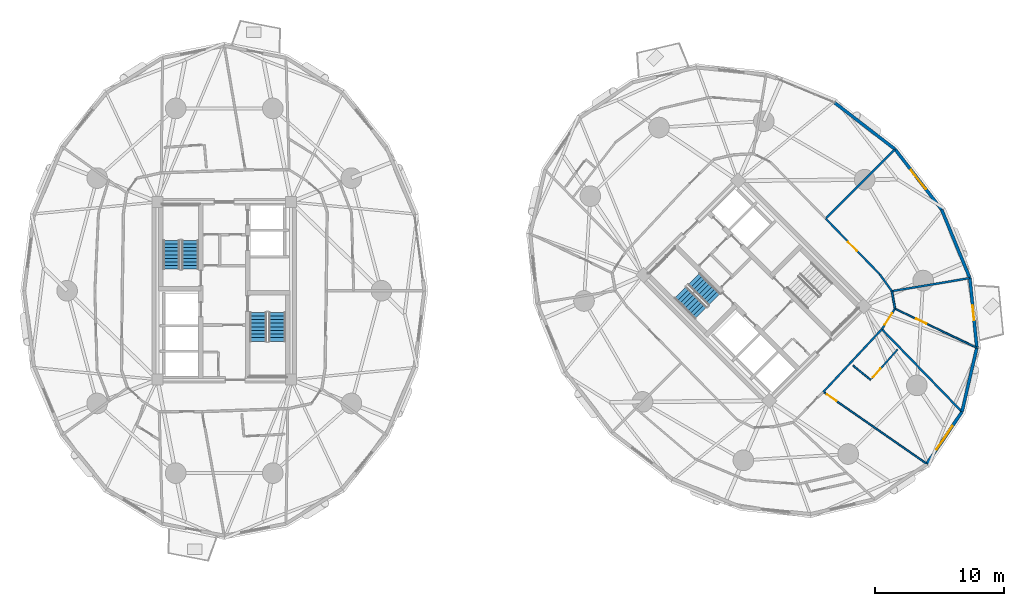
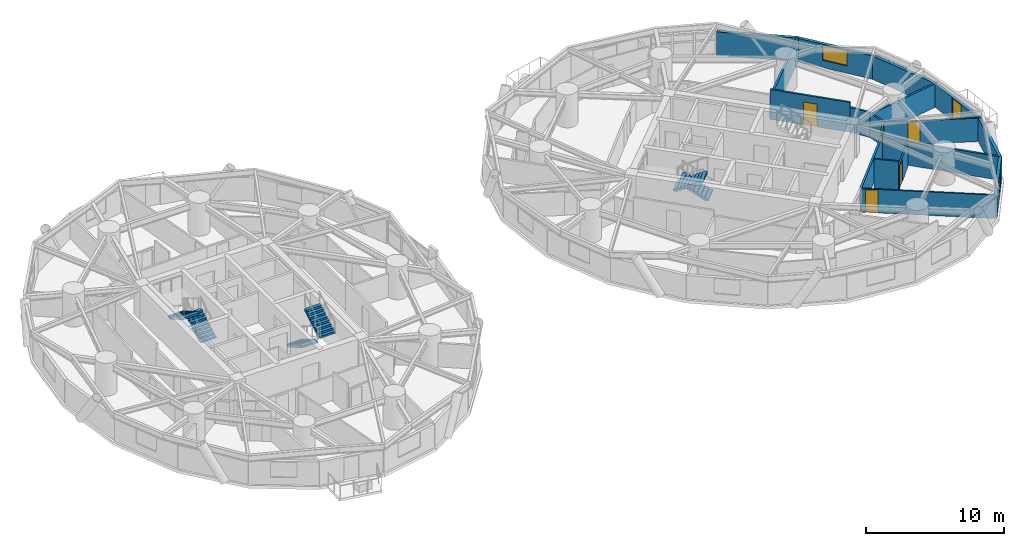
# One storey, part 15 of 19: 18 walls, 6 doors, 6 stair flights, 2 windows, 8 openings, 3 elements without a shape of their own.
"""IFC4 building model written with IfcOpenShell, lengths in metres."""

import ifcopenshell
import ifcopenshell.guid

model = None  # the IFC model being written
_history = None  # IfcOwnerHistory: only IFC2X3 demands one
_inside = {}  # id of a spatial element -> (the spatial element, [elements in it])
_under = {}  # id of a project, library or spatial element -> (it, [spatial elements below it])
_declared = {}  # id of a project -> (the project, [libraries it declares])
_typed = {}  # id of a type object -> (the type object, [elements of that type])
_made_of = {}  # id of a material, layer set ... -> (it, [elements and type objects made of it])


def new_model(schema):
    """Start an empty IFC model of exactly this schema.

    Asked for "IFC4X3", IfcOpenShell would pick the latest addendum, in which some entities
    have other attributes; the version numbers below select the first issue.
    IFC2X3 requires an IfcOwnerHistory on every rooted entity: one is made here for all.
    """
    global model, _history
    if schema == "IFC4X3":
        model = ifcopenshell.file(schema_version=(4, 3, 0, 0))
    else:
        model = ifcopenshell.file(schema=schema)
    _inside.clear()
    _under.clear()
    _declared.clear()
    _typed.clear()
    _made_of.clear()
    _history = None
    if model.schema == "IFC2X3":
        org = make("IfcOrganization", Name="unknown")
        user = make(
            "IfcPersonAndOrganization",
            ThePerson=make("IfcPerson", FamilyName="unknown"),
            TheOrganization=org,
        )
        app = make(
            "IfcApplication",
            ApplicationDeveloper=org,
            Version="unknown",
            ApplicationFullName="unknown",
            ApplicationIdentifier="unknown",
        )
        _history = make(
            "IfcOwnerHistory",
            OwningUser=user,
            OwningApplication=app,
            ChangeAction="ADDED",
            CreationDate=0,
        )
    return model


def make(cls, **values):
    """One entity of the class cls with the attributes given. An attribute that is None is left unset."""
    return model.create_entity(
        cls, **{name: value for name, value in values.items() if value is not None}
    )


def rooted(cls, **values):
    """An entity with a GlobalId (a new one), such as an element, a storey or a relation."""
    return make(cls, GlobalId=ifcopenshell.guid.new(), OwnerHistory=_history, **values)


def si_unit(unit_type, name, prefix=None):
    """IfcSIUnit, for example si_unit("LENGTHUNIT", "METRE", prefix="MILLI")."""
    return make("IfcSIUnit", UnitType=unit_type, Prefix=prefix, Name=name)


def assignment(units):
    """IfcUnitAssignment: the units of a project."""
    return None if units is None else make("IfcUnitAssignment", Units=units)


def point(xyz):
    """IfcCartesianPoint."""
    return None if xyz is None else make("IfcCartesianPoint", Coordinates=xyz)


def direction(xyz):
    """IfcDirection."""
    return None if xyz is None else make("IfcDirection", DirectionRatios=xyz)


def frame(location, z_axis=None, x_axis=None):
    """IfcAxis2Placement3D, a coordinate frame: its origin and axes. An axis left out is left unset."""
    return make(
        "IfcAxis2Placement3D",
        Location=point(location),
        Axis=direction(z_axis),
        RefDirection=direction(x_axis),
    )


def frame_2d(location, x_axis=None):
    """IfcAxis2Placement2D, a coordinate frame in the plane: its origin and x axis."""
    return make(
        "IfcAxis2Placement2D", Location=point(location), RefDirection=direction(x_axis)
    )


def origin():
    """The frame at (0, 0, 0) with its axes left unset."""
    return frame((0.0, 0.0, 0.0))


def place(relative_to, where):
    """IfcLocalPlacement: puts the frame where relative to a parent placement (None: the world)."""
    return make(
        "IfcLocalPlacement", PlacementRelTo=relative_to, RelativePlacement=where
    )


def context(
    kind, dimensions, precision=None, world=None, true_north=None, identifier=None
):
    """IfcGeometricRepresentationContext, for example the 3D "Model" context."""
    return make(
        "IfcGeometricRepresentationContext",
        ContextIdentifier=identifier,
        ContextType=kind,
        CoordinateSpaceDimension=dimensions,
        Precision=precision,
        WorldCoordinateSystem=world,
        TrueNorth=true_north,
    )


def subcontext(parent, identifier, kind, view, scale=None):
    """IfcGeometricRepresentationSubContext, for example "Body" below "Model"."""
    return make(
        "IfcGeometricRepresentationSubContext",
        ContextIdentifier=identifier,
        ContextType=kind,
        ParentContext=parent,
        TargetScale=scale,
        TargetView=view,
    )


def project(units=None, contexts=None):
    """IfcProject with its units and contexts."""
    return rooted(
        "IfcProject",
        Name="project",
        RepresentationContexts=contexts,
        UnitsInContext=assignment(units),
    )


def spatial(cls, under=None, at=None, **own):
    """A site, building, storey or space (cls), placed at a placement, below another one or the project."""
    s = rooted(cls, ObjectPlacement=at, **own)
    if under is not None:
        _under.setdefault(under.id(), (under, []))[1].append(s)
    return s


def polyline(points):
    """IfcPolyline through the points."""
    return make("IfcPolyline", Points=[point(p) for p in points])


def profile(cls, at=None, kind="AREA", **sizes):
    """A parametric profile (cls). Its sizes go by their IFC names, for example OverallWidth=200.0."""
    return make(cls, ProfileType=kind, Position=at, **sizes)


def rectangle(**sizes):
    """IfcRectangleProfileDef."""
    return profile("IfcRectangleProfileDef", **sizes)


def outline(outer, holes=None, kind="AREA"):
    """IfcArbitraryClosedProfileDef: a profile drawn as a closed curve; with holes, ...WithVoids."""
    if holes is None:
        return make("IfcArbitraryClosedProfileDef", ProfileType=kind, OuterCurve=outer)
    return make(
        "IfcArbitraryProfileDefWithVoids",
        ProfileType=kind,
        OuterCurve=outer,
        InnerCurves=holes,
    )


def extrude(swept, where, along, depth):
    """IfcExtrudedAreaSolid: the profile swept, set in the frame where, extruded along a direction by depth."""
    return make(
        "IfcExtrudedAreaSolid",
        SweptArea=swept,
        Position=where,
        ExtrudedDirection=direction(along),
        Depth=depth,
    )


def shape(context_of_items, identifier, shape_type, items):
    """IfcShapeRepresentation: the items that make up one representation, for example the "Body"."""
    return make(
        "IfcShapeRepresentation",
        ContextOfItems=context_of_items,
        RepresentationIdentifier=identifier,
        RepresentationType=shape_type,
        Items=items,
    )


def source(mapping_origin, context_of_items, identifier, shape_type, items):
    """IfcRepresentationMap: a shape defined once, which mapped items show again and again."""
    return make(
        "IfcRepresentationMap",
        MappingOrigin=mapping_origin,
        MappedRepresentation=shape(context_of_items, identifier, shape_type, items),
    )


def transform(
    local_origin,
    x_axis=None,
    y_axis=None,
    z_axis=None,
    scale=None,
    scale2=None,
    scale3=None,
    uniform=True,
):
    """IfcCartesianTransformationOperator3D, or its non-uniform kind. x_axis, y_axis, z_axis: its Axis1, 2, 3."""
    if uniform:
        return make(
            "IfcCartesianTransformationOperator3D",
            Axis1=direction(x_axis),
            Axis2=direction(y_axis),
            LocalOrigin=point(local_origin),
            Scale=scale,
            Axis3=direction(z_axis),
        )
    return make(
        "IfcCartesianTransformationOperator3DnonUniform",
        Axis1=direction(x_axis),
        Axis2=direction(y_axis),
        LocalOrigin=point(local_origin),
        Scale=scale,
        Axis3=direction(z_axis),
        Scale2=scale2,
        Scale3=scale3,
    )


def mapped(mapping_source, mapping_target):
    """IfcMappedItem: shows the shape of a source again, moved by a transform."""
    return make(
        "IfcMappedItem", MappingSource=mapping_source, MappingTarget=mapping_target
    )


def material(Name=None, Category=None):
    """IfcMaterial."""
    return make("IfcMaterial", Name=Name, Category=Category)


def layer(
    of_material, thickness, ventilated=None, Name=None, Category=None, Priority=None
):
    """IfcMaterialLayer: one layer of a wall or slab, of a material (None: an air gap)."""
    return make(
        "IfcMaterialLayer",
        Material=of_material,
        LayerThickness=thickness,
        IsVentilated=ventilated,
        Name=Name,
        Category=Category,
        Priority=Priority,
    )


def layer_set(layers, Name=None):
    """IfcMaterialLayerSet."""
    return make("IfcMaterialLayerSet", MaterialLayers=layers, LayerSetName=Name)


def made_of(thing, what):
    """Note that an element or type object is made of a material, layer set ...; save() writes the relation."""
    if what is not None:
        _made_of.setdefault(what.id(), (what, []))[1].append(thing)
    return thing


def type_object(cls, material=None, **own):
    """A type object (cls), such as IfcWallType, which elements share."""
    return made_of(rooted(cls, **own), material)


def element(
    cls,
    number,
    at=None,
    inside=None,
    cuts=None,
    type_object=None,
    material=None,
    context=None,
    identifier="Body",
    shape_type=None,
    held_by="IfcProductDefinitionShape",
    body=None,
    shapes=None,
    **own,
):
    """One element of the class cls, such as IfcWall. Its Tag is "e" and its number.

    at: its placement. inside: the storey or other place that contains it. cuts: it is an
    opening in that element (IfcRelVoidsElement). A single representation is given by context,
    identifier, shape_type and body (its items); several are given by shapes. held_by: the class
    of the entity that holds the representations. save() writes the other relations.
    """
    e = rooted(cls, Tag="e%d" % number, ObjectPlacement=at, **own)
    if body is not None:
        shapes = [shape(context, identifier, shape_type, body)]
    if shapes is not None:
        e.Representation = make(held_by, Representations=shapes)
    if inside is not None:
        _inside.setdefault(inside.id(), (inside, []))[1].append(e)
    if cuts is not None:
        rooted(
            "IfcRelVoidsElement", RelatingBuildingElement=cuts, RelatedOpeningElement=e
        )
    if type_object is not None:
        _typed.setdefault(type_object.id(), (type_object, []))[1].append(e)
    return made_of(e, material)


def fill(opening, filler):
    """IfcRelFillsElement: the door or window that sits in an opening."""
    return rooted(
        "IfcRelFillsElement",
        RelatingOpeningElement=opening,
        RelatedBuildingElement=filler,
    )


def aggregate(whole, parts):
    """IfcRelAggregates: a whole, such as a stair, and the parts it consists of."""
    return rooted("IfcRelAggregates", RelatingObject=whole, RelatedObjects=parts)


def save(model, path):
    """Write the relations noted so far, then the file.

    IfcRelAggregates (storeys below a building ...), IfcRelContainedInSpatialStructure (elements
    in a storey), IfcRelDefinesByType, IfcRelAssociatesMaterial and IfcRelDeclares: one each for
    every whole, place, type object, material and project.
    """
    for whole, parts in _under.values():
        aggregate(whole, parts)
    for where, things in _inside.values():
        rooted(
            "IfcRelContainedInSpatialStructure",
            RelatedElements=things,
            RelatingStructure=where,
        )
    for kind, things in _typed.values():
        rooted("IfcRelDefinesByType", RelatedObjects=things, RelatingType=kind)
    for what, things in _made_of.values():
        rooted("IfcRelAssociatesMaterial", RelatedObjects=things, RelatingMaterial=what)
    for by, libraries in _declared.values():
        rooted("IfcRelDeclares", RelatingContext=by, RelatedDefinitions=libraries)
    model.write(path)


model = new_model("IFC4")

# Units and contexts
model_context = context("Model", 3, precision=1e-05, world=origin(), true_north=direction((0.0, 1.0)))
body_context = subcontext(model_context, "Body", "Model", "MODEL_VIEW")
ifc_project = project(units=[si_unit("LENGTHUNIT", "METRE"), si_unit("AREAUNIT", "SQUARE_METRE"), si_unit("VOLUMEUNIT", "CUBIC_METRE"), si_unit("PLANEANGLEUNIT", "RADIAN"), si_unit("MASSUNIT", "GRAM", prefix="KILO")], contexts=[model_context])

# Site, building, storey
site_placement = place(None, origin())
site = spatial("IfcSite", under=ifc_project, at=site_placement, CompositionType="ELEMENT")
building_placement = place(site_placement, origin())
building = spatial("IfcBuilding", under=site, at=building_placement, Name="Cununo Teusaquillo Station Towers", CompositionType="ELEMENT")
storey_placement = place(building_placement, frame((0.0, 0.0, 42.3701171875)))
storey = spatial("IfcBuildingStorey", under=building, at=storey_placement, Name="L12", CompositionType="ELEMENT", Elevation=42.3701171875)

# Wall
ifc_material_1 = material(Name="Precast concrete C40/50", Category="concrete")
ifc_layer_1 = layer(ifc_material_1, 0.239990234375)
ifc_layer_set_1 = layer_set([ifc_layer_1], Name="Precast concrete C40/50")
wall_type_1 = type_object("IfcWallType", Name="WL-EXT-240", PredefinedType="SOLIDWALL", material=ifc_layer_set_1)
wall_1_placement = place(storey_placement, frame((63.77783203125, 39.068115234375, 0.0), z_axis=(0.0, 0.0, 1.0), x_axis=(0.792020182601, -0.610494906082, 0.0)))
element("IfcWall", 1, at=wall_1_placement, inside=storey, type_object=wall_type_1, Name="L12 Tower B Exterior Facade Wall C00", PredefinedType="SOLIDWALL", context=body_context, shape_type="SweptSolid", body=[
    extrude(rectangle(XDim=5.9111328125, YDim=0.239990234375, at=frame_2d((2.95556640625, 0.0))), origin(), (0.0, 0.0, 1.0), 2.072998046875),
])

# Wall, opening, window
wall_2_placement = place(storey_placement, frame((73.64404296875, 15.12939453125, 0.0), z_axis=(0.0, 0.0, 1.0), x_axis=(-0.559621532896, -0.828748297084, 0.0)))
wall_2 = element("IfcWall", 2, at=wall_2_placement, inside=storey, type_object=wall_type_1, Name="L12 Tower B Exterior Facade Wall C15", PredefinedType="SOLIDWALL", context=body_context, shape_type="SweptSolid", body=[
    extrude(rectangle(XDim=4.878662109375, YDim=0.239990234375, at=frame_2d((2.439453125, 0.0))), origin(), (0.0, 0.0, 1.0), 2.072998046875),
])
shared_shape_1 = source(origin(), body_context, "Body", "SweptSolid", [
    extrude(rectangle(XDim=2.199951171875, YDim=1.35009765625, at=frame_2d((1.10009765625, 0.675048828125))), frame((0.0, 0.1298828125, 0.0), z_axis=(0.0, -1.0, 0.0), x_axis=(1.0, 0.0, 0.0)), (0.0, 0.0, 1.0), 0.260009765625),
])
opening_1_placement = place(wall_2_placement, frame((1.339111328125, 0.0, 0.64990234375)))
opening_1 = element("IfcOpeningElement", 3, at=opening_1_placement, cuts=wall_2, Name="Opening WN-01", PredefinedType="OPENING", context=body_context, shape_type="MappedRepresentation", body=[
    mapped(shared_shape_1, transform((0.0, 0.0, 0.0), x_axis=(1.0, 0.0, 0.0), y_axis=(0.0, 1.0, 0.0), z_axis=(0.0, 0.0, 1.0), scale=1.0)),
])
ifc_material_2 = material(Name="Ceramic-fritted dark low-E double glazing", Category="glass")
window_type_1 = type_object("IfcWindowType", Name="WIN-FRIT-2200", PartitioningType="DOUBLE_PANEL_VERTICAL", PredefinedType="WINDOW", material=ifc_material_2)
shared_shape_2 = source(origin(), body_context, "Body", "SweptSolid", [
    extrude(rectangle(XDim=2.199951171875, YDim=1.35009765625, at=frame_2d((1.10009765625, 0.675048828125))), frame((0.0, 0.030029296875, 0.0), z_axis=(0.0, -1.0, 0.0), x_axis=(1.0, 0.0, 0.0)), (0.0, 0.0, 1.0), 0.06005859375),
])
window_1_placement = place(opening_1_placement, origin())
window_1 = element("IfcWindow", 4, at=window_1_placement, inside=storey, type_object=window_type_1, Name="L12 Tower B Facade Window C15", OverallHeight=1.35009765625, OverallWidth=2.199951171875, PartitioningType="DOUBLE_PANEL_VERTICAL", PredefinedType="WINDOW", context=body_context, shape_type="MappedRepresentation", body=[
    mapped(shared_shape_2, transform((0.0, 0.0, 0.0), x_axis=(1.0, 0.0, 0.0), y_axis=(0.0, 1.0, 0.0), z_axis=(0.0, 0.0, 1.0), scale=1.0)),
])
fill(opening_1, window_1)

# Wall
wall_3_placement = place(storey_placement, frame((74.7939453125, 20.08984375, 0.0), z_axis=(0.0, 0.0, 1.0), x_axis=(-0.22582585901, -0.974167686491, 0.0)))
element("IfcWall", 5, at=wall_3_placement, inside=storey, type_object=wall_type_1, Name="L12 Tower B Exterior Facade Wall C16", PredefinedType="SOLIDWALL", context=body_context, shape_type="SweptSolid", body=[
    extrude(rectangle(XDim=5.092041015625, YDim=0.239990234375, at=frame_2d((2.5458984375, 0.0))), origin(), (0.0, 0.0, 1.0), 2.072998046875),
])

# Wall, opening, door
wall_4_placement = place(storey_placement, frame((74.2509765625, 25.48193359375, 0.0), z_axis=(0.0, 0.0, 1.0), x_axis=(0.100190592135, -0.994968263437, 0.0)))
wall_4 = element("IfcWall", 6, at=wall_4_placement, inside=storey, type_object=wall_type_1, Name="L12 Tower B Exterior Facade Wall C17", PredefinedType="SOLIDWALL", context=body_context, shape_type="SweptSolid", body=[
    extrude(rectangle(XDim=5.41943359375, YDim=0.239990234375, at=frame_2d((2.709716796875, 0.0))), origin(), (0.0, 0.0, 1.0), 2.072998046875),
])
shared_shape_3 = source(origin(), body_context, "Body", "SweptSolid", [
    extrude(rectangle(XDim=1.14990234375, YDim=2.0048828125, at=frame_2d((0.574951171875, 1.00244140625))), frame((0.0, 0.1298828125, 0.0), z_axis=(0.0, -1.0, 0.0), x_axis=(1.0, 0.0, 0.0)), (0.0, 0.0, 1.0), 0.260009765625),
])
opening_2_placement = place(wall_4_placement, frame((2.135009765625, 0.0, 0.0)))
opening_2 = element("IfcOpeningElement", 7, at=opening_2_placement, cuts=wall_4, Name="Opening ED-03", PredefinedType="OPENING", context=body_context, shape_type="MappedRepresentation", body=[
    mapped(shared_shape_3, transform((0.0, 0.0, 0.0), x_axis=(1.0, 0.0, 0.0), y_axis=(0.0, 1.0, 0.0), z_axis=(0.0, 0.0, 1.0), scale=1.0)),
])
ifc_material_3 = material(Name="Anodised dark bronze aluminium EN AW-6063-T6", Category="aluminium")
door_type_1 = type_object("IfcDoorType", Name="DR-EXT-BAL", OperationType="NOTDEFINED", PredefinedType="DOOR", material=ifc_material_3)
shared_shape_4 = source(origin(), body_context, "Body", "SweptSolid", [
    extrude(rectangle(XDim=1.14990234375, YDim=2.0048828125, at=frame_2d((0.574951171875, 1.00244140625))), frame((0.0, 0.02490234375, 0.0), z_axis=(0.0, -1.0, 0.0), x_axis=(1.0, 0.0, 0.0)), (0.0, 0.0, 1.0), 0.050048828125),
])
door_1_placement = place(opening_2_placement, origin())
door_1 = element("IfcDoor", 8, at=door_1_placement, inside=storey, type_object=door_type_1, Name="L12 Tower B Tree Balcony Door C17", OperationType="SINGLE_SWING_LEFT", OverallHeight=2.0048828125, OverallWidth=1.14990234375, PredefinedType="DOOR", context=body_context, shape_type="MappedRepresentation", body=[
    mapped(shared_shape_4, transform((0.0, 0.0, 0.0), x_axis=(1.0, 0.0, 0.0), y_axis=(0.0, 1.0, 0.0), z_axis=(0.0, 0.0, 1.0), scale=1.0)),
])
fill(opening_2, door_1)

# Wall
wall_5_placement = place(storey_placement, frame((72.068115234375, 30.77783203125, 0.0), z_axis=(0.0, 0.0, 1.0), x_axis=(0.381077764176, -0.924542988536, 0.0)))
element("IfcWall", 9, at=wall_5_placement, inside=storey, type_object=wall_type_1, Name="L12 Tower B Exterior Facade Wall C18", PredefinedType="SOLIDWALL", context=body_context, shape_type="SweptSolid", body=[
    extrude(rectangle(XDim=5.72802734375, YDim=0.239990234375, at=frame_2d((2.864013671875, 0.0))), origin(), (0.0, 0.0, 1.0), 2.072998046875),
])

# Wall, opening, window
wall_6_placement = place(storey_placement, frame((68.45947265625, 35.45947265625, 0.0), z_axis=(0.0, 0.0, 1.0), x_axis=(0.610494906082, -0.792020182601, 0.0)))
wall_6 = element("IfcWall", 10, at=wall_6_placement, inside=storey, type_object=wall_type_1, Name="L12 Tower B Exterior Facade Wall C19", PredefinedType="SOLIDWALL", context=body_context, shape_type="SweptSolid", body=[
    extrude(rectangle(XDim=5.9111328125, YDim=0.239990234375, at=frame_2d((2.95556640625, 0.0))), origin(), (0.0, 0.0, 1.0), 2.072998046875),
])
shared_shape_5 = source(origin(), body_context, "Body", "SweptSolid", [
    extrude(rectangle(XDim=1.89990234375, YDim=1.35009765625, at=frame_2d((0.949951171875, 0.675048828125))), frame((0.0, 0.1298828125, 0.0), z_axis=(0.0, -1.0, 0.0), x_axis=(1.0, 0.0, 0.0)), (0.0, 0.0, 1.0), 0.260009765625),
])
opening_3_placement = place(wall_6_placement, frame((2.0048828125, 0.0, 0.64990234375)))
opening_3 = element("IfcOpeningElement", 11, at=opening_3_placement, cuts=wall_6, Name="Opening WN-02", PredefinedType="OPENING", context=body_context, shape_type="MappedRepresentation", body=[
    mapped(shared_shape_5, transform((0.0, 0.0, 0.0), x_axis=(1.0, 0.0, 0.0), y_axis=(0.0, 1.0, 0.0), z_axis=(0.0, 0.0, 1.0), scale=1.0)),
])
ifc_material_4 = material(Name="Operable acoustic tinted low-E double glazing", Category="glass")
window_type_2 = type_object("IfcWindowType", Name="WIN-OPER-1900", PartitioningType="DOUBLE_PANEL_VERTICAL", PredefinedType="WINDOW", material=ifc_material_4)
shared_shape_6 = source(origin(), body_context, "Body", "SweptSolid", [
    extrude(rectangle(XDim=1.89990234375, YDim=1.35009765625, at=frame_2d((0.949951171875, 0.675048828125))), frame((0.0, 0.030029296875, 0.0), z_axis=(0.0, -1.0, 0.0), x_axis=(1.0, 0.0, 0.0)), (0.0, 0.0, 1.0), 0.06005859375),
])
window_2_placement = place(opening_3_placement, origin())
window_2 = element("IfcWindow", 12, at=window_2_placement, inside=storey, type_object=window_type_2, Name="L12 Tower B Facade Window C19", OverallHeight=1.35009765625, OverallWidth=1.89990234375, PartitioningType="DOUBLE_PANEL_VERTICAL", PredefinedType="WINDOW", context=body_context, shape_type="MappedRepresentation", body=[
    mapped(shared_shape_6, transform((0.0, 0.0, 0.0), x_axis=(1.0, 0.0, 0.0), y_axis=(0.0, 1.0, 0.0), z_axis=(0.0, 0.0, 1.0), scale=1.0)),
])
fill(opening_3, window_2)

# Wall, opening, door
ifc_material_5 = material(Name="Fire-rated gypsum plasterboard partition assembly", Category="gypsum")
ifc_layer_2 = layer(ifc_material_5, 0.125)
ifc_layer_set_2 = layer_set([ifc_layer_2], Name="Fire-rated gypsum plasterboard partition assembly")
wall_type_2 = type_object("IfcWallType", Name="WL-PART-125", PredefinedType="PARTITIONING", material=ifc_layer_set_2)
wall_7_placement = place(storey_placement, frame((62.902587890625, 16.66650390625, 0.0), z_axis=(0.0, 0.0, 1.0), x_axis=(0.820761665638, -0.571270766116, 0.0)))
wall_7 = element("IfcWall", 13, at=wall_7_placement, inside=storey, type_object=wall_type_2, Name="L12 Tower B Governor Hospitality Suite Suite Subdividing Wall", PredefinedType="PARTITIONING", context=body_context, shape_type="SweptSolid", body=[
    extrude(rectangle(XDim=9.743408203125, YDim=0.125, at=frame_2d((4.87158203125, 0.0))), origin(), (0.0, 0.0, 1.0), 2.072998046875),
])
shared_shape_7 = source(origin(), body_context, "Body", "SweptSolid", [
    extrude(rectangle(XDim=0.89990234375, YDim=2.0048828125, at=frame_2d((0.449951171875, 1.00244140625))), frame((0.0, 0.072509765625, 0.0), z_axis=(0.0, -1.0, 0.0), x_axis=(1.0, 0.0, 0.0)), (0.0, 0.0, 1.0), 0.14501953125),
])
opening_4_placement = place(wall_7_placement, frame((0.330078125, 0.0, 0.0)))
opening_4 = element("IfcOpeningElement", 14, at=opening_4_placement, cuts=wall_7, Name="Opening D-IN1", PredefinedType="OPENING", context=body_context, shape_type="MappedRepresentation", body=[
    mapped(shared_shape_7, transform((0.0, 0.0, 0.0), x_axis=(1.0, 0.0, 0.0), y_axis=(0.0, 1.0, 0.0), z_axis=(0.0, 0.0, 1.0), scale=1.0)),
])
ifc_material_6 = material(Name="Acoustic solid-core hardwood leaf assembly", Category="wood")
door_type_2 = type_object("IfcDoorType", Name="DR-INT-900", OperationType="NOTDEFINED", PredefinedType="DOOR", material=ifc_material_6)
shared_shape_8 = source(origin(), body_context, "Body", "SweptSolid", [
    extrude(rectangle(XDim=0.89990234375, YDim=2.0048828125, at=frame_2d((0.449951171875, 1.00244140625))), frame((0.0, 0.02490234375, 0.0), z_axis=(0.0, -1.0, 0.0), x_axis=(1.0, 0.0, 0.0)), (0.0, 0.0, 1.0), 0.050048828125),
])
door_2_placement = place(opening_4_placement, origin())
door_2 = element("IfcDoor", 15, at=door_2_placement, inside=storey, type_object=door_type_2, Name="L12 Tower B Governor Hospitality Suite Suite Connecting Door", OperationType="SINGLE_SWING_RIGHT", OverallHeight=2.0048828125, OverallWidth=0.89990234375, PredefinedType="DOOR", context=body_context, shape_type="MappedRepresentation", body=[
    mapped(shared_shape_8, transform((0.0, 0.0, 0.0), x_axis=(1.0, 0.0, 0.0), y_axis=(0.0, 1.0, 0.0), z_axis=(0.0, 0.0, 1.0), scale=1.0)),
])
fill(opening_4, door_2)

# Wall
wall_8_placement = place(storey_placement, frame((65.202392578125, 18.721435546875, 0.0), z_axis=(0.0, 0.0, 1.0), x_axis=(0.769814202386, -0.638268042287, 0.0)))
element("IfcWall", 16, at=wall_8_placement, inside=storey, type_object=wall_type_2, Name="L12 Tower B S05 En-suite Side Wall", PredefinedType="PARTITIONING", context=body_context, shape_type="SweptSolid", body=[
    extrude(rectangle(XDim=1.768798828125, YDim=0.125, at=frame_2d((0.88427734375, 0.0))), origin(), (0.0, 0.0, 1.0), 2.634765625),
])

# Wall, opening, door
wall_9_placement = place(storey_placement, frame((66.667236328125, 17.70947265625, 0.0), z_axis=(0.0, 0.0, 1.0), x_axis=(0.662510581678, 0.749052554341, 0.0)))
wall_9 = element("IfcWall", 17, at=wall_9_placement, inside=storey, type_object=wall_type_2, Name="L12 Tower B S05 En-suite Back Wall", PredefinedType="PARTITIONING", context=body_context, shape_type="SweptSolid", body=[
    extrude(rectangle(XDim=2.99609375, YDim=0.125, at=frame_2d((1.498046875, 0.0))), origin(), (0.0, 0.0, 1.0), 2.158935546875),
])
opening_5_placement = place(wall_9_placement, frame((0.1201171875, 0.0, 0.0)))
opening_5 = element("IfcOpeningElement", 18, at=opening_5_placement, cuts=wall_9, Name="Opening D-IN1", PredefinedType="OPENING", context=body_context, shape_type="MappedRepresentation", body=[
    mapped(shared_shape_7, transform((0.0, 0.0, 0.0), x_axis=(1.0, 0.0, 0.0), y_axis=(0.0, 1.0, 0.0), z_axis=(0.0, 0.0, 1.0), scale=1.0)),
])
door_3_placement = place(opening_5_placement, origin())
door_3 = element("IfcDoor", 19, at=door_3_placement, inside=storey, type_object=door_type_2, Name="L12 Tower B S05 En-suite Bathroom Door", OperationType="SINGLE_SWING_LEFT", OverallHeight=2.0048828125, OverallWidth=0.89990234375, PredefinedType="DOOR", context=body_context, shape_type="MappedRepresentation", body=[
    mapped(shared_shape_8, transform((0.0, 0.0, 0.0), x_axis=(1.0, 0.0, 0.0), y_axis=(0.0, 1.0, 0.0), z_axis=(0.0, 0.0, 1.0), scale=1.0)),
])
fill(opening_5, door_3)

wall_10_placement = place(storey_placement, frame((68.45556640625, 23.109619140625, 0.0), z_axis=(0.0, 0.0, 1.0), x_axis=(0.902430819297, -0.430834790125, 0.0)))
wall_10 = element("IfcWall", 20, at=wall_10_placement, inside=storey, type_object=wall_type_2, Name="L12 Tower B Hotel Housekeeping & Linen Pantry Suite Subdividing Wall", PredefinedType="PARTITIONING", context=body_context, shape_type="SweptSolid", body=[
    extrude(rectangle(XDim=7.001708984375, YDim=0.125, at=frame_2d((3.5009765625, 0.0))), origin(), (0.0, 0.0, 1.0), 2.072998046875),
])
opening_6_placement = place(wall_10_placement, frame((1.800048828125, 0.0, 0.0)))
opening_6 = element("IfcOpeningElement", 21, at=opening_6_placement, cuts=wall_10, Name="Opening D-IN1", PredefinedType="OPENING", context=body_context, shape_type="MappedRepresentation", body=[
    mapped(shared_shape_7, transform((0.0, 0.0, 0.0), x_axis=(1.0, 0.0, 0.0), y_axis=(0.0, 1.0, 0.0), z_axis=(0.0, 0.0, 1.0), scale=1.0)),
])
door_4_placement = place(opening_6_placement, origin())
door_4 = element("IfcDoor", 22, at=door_4_placement, inside=storey, type_object=door_type_2, Name="L12 Tower B Hotel Housekeeping & Linen Pantry Suite Connecting Door", OperationType="SINGLE_SWING_LEFT", OverallHeight=2.0048828125, OverallWidth=0.89990234375, PredefinedType="DOOR", context=body_context, shape_type="MappedRepresentation", body=[
    mapped(shared_shape_8, transform((0.0, 0.0, 0.0), x_axis=(1.0, 0.0, 0.0), y_axis=(0.0, 1.0, 0.0), z_axis=(0.0, 0.0, 1.0), scale=1.0)),
])
fill(opening_6, door_4)

# Wall
ifc_material_7 = material(Name="Fire-rated gypsum plasterboard partition assembly", Category="gypsum")
ifc_layer_3 = layer(ifc_material_7, 0.14990234375)
ifc_layer_set_3 = layer_set([ifc_layer_3], Name="Fire-rated gypsum plasterboard partition assembly")
wall_type_3 = type_object("IfcWallType", Name="WL-PART-150", PredefinedType="PARTITIONING", material=ifc_layer_set_3)
wall_11_placement = place(storey_placement, frame((62.902587890625, 16.66650390625, 0.0), z_axis=(0.0, 0.0, 1.0), x_axis=(0.682371947497, 0.731005147225, 0.0)))
element("IfcWall", 23, at=wall_11_placement, inside=storey, type_object=wall_type_3, Name="L12 Tower B Corridor Ring Wall C15", PredefinedType="PARTITIONING", context=body_context, shape_type="SweptSolid", body=[
    extrude(rectangle(XDim=6.6416015625, YDim=0.14990234375, at=frame_2d((3.32080078125, 0.0))), origin(), (0.0, 0.0, 1.0), 2.158935546875),
])

# Wall, opening, door
wall_12_placement = place(storey_placement, frame((67.4345703125, 21.521484375, 0.0), z_axis=(0.0, 0.0, 1.0), x_axis=(0.540777197838, 0.841165870859, 0.0)))
wall_12 = element("IfcWall", 24, at=wall_12_placement, inside=storey, type_object=wall_type_3, Name="L12 Tower B Corridor Ring Wall C16", PredefinedType="PARTITIONING", context=body_context, shape_type="SweptSolid", body=[
    extrude(rectangle(XDim=1.887939453125, YDim=0.14990234375, at=frame_2d((0.94384765625, 0.0))), origin(), (0.0, 0.0, 1.0), 2.204833984375),
])
shared_shape_9 = source(origin(), body_context, "Body", "SweptSolid", [
    extrude(rectangle(XDim=1.050048828125, YDim=2.014892578125, at=frame_2d((0.52490234375, 1.00732421875))), frame((0.0, 0.0849609375, 0.0), z_axis=(0.0, -1.0, 0.0), x_axis=(1.0, 0.0, 0.0)), (0.0, 0.0, 1.0), 0.169921875),
])
opening_7_placement = place(wall_12_placement, frame((0.4189453125, 0.0, 0.0)))
opening_7 = element("IfcOpeningElement", 25, at=opening_7_placement, cuts=wall_12, Name="Opening D-SU1", PredefinedType="OPENING", context=body_context, shape_type="MappedRepresentation", body=[
    mapped(shared_shape_9, transform((0.0, 0.0, 0.0), x_axis=(1.0, 0.0, 0.0), y_axis=(0.0, 1.0, 0.0), z_axis=(0.0, 0.0, 1.0), scale=1.0)),
])
ifc_material_8 = material(Name="Acoustic solid-core hardwood leaf assembly", Category="wood")
door_type_3 = type_object("IfcDoorType", Name="DR-SUITE-1050", OperationType="NOTDEFINED", PredefinedType="DOOR", material=ifc_material_8)
shared_shape_10 = source(origin(), body_context, "Body", "SweptSolid", [
    extrude(rectangle(XDim=1.050048828125, YDim=2.014892578125, at=frame_2d((0.52490234375, 1.00732421875))), frame((0.0, 0.02490234375, 0.0), z_axis=(0.0, -1.0, 0.0), x_axis=(1.0, 0.0, 0.0)), (0.0, 0.0, 1.0), 0.050048828125),
])
door_5_placement = place(opening_7_placement, origin())
door_5 = element("IfcDoor", 26, at=door_5_placement, inside=storey, type_object=door_type_3, Name="L12 Tower B Hotel Housekeeping & Linen Pantry Entrance Door", OperationType="SINGLE_SWING_RIGHT", OverallHeight=2.014892578125, OverallWidth=1.050048828125, PredefinedType="DOOR", context=body_context, shape_type="MappedRepresentation", body=[
    mapped(shared_shape_10, transform((0.0, 0.0, 0.0), x_axis=(1.0, 0.0, 0.0), y_axis=(0.0, 1.0, 0.0), z_axis=(0.0, 0.0, 1.0), scale=1.0)),
])
fill(opening_7, door_5)

# Walls
wall_13_placement = place(storey_placement, frame((68.45556640625, 23.109619140625, 0.0), z_axis=(0.0, 0.0, 1.0), x_axis=(-0.1772522795, 0.984165448191, 0.0)))
element("IfcWall", 27, at=wall_13_placement, inside=storey, type_object=wall_type_3, Name="L12 Tower B Corridor Ring Wall C17", PredefinedType="PARTITIONING", context=body_context, shape_type="SweptSolid", body=[
    extrude(rectangle(XDim=1.381591796875, YDim=0.14990234375, at=frame_2d((0.69091796875, 0.0))), origin(), (0.0, 0.0, 1.0), 2.158935546875),
])
wall_14_placement = place(storey_placement, frame((68.210693359375, 24.46923828125, 0.0), z_axis=(0.0, 0.0, 1.0), x_axis=(-0.583012141368, 0.812463441034, 0.0)))
element("IfcWall", 28, at=wall_14_placement, inside=storey, type_object=wall_type_3, Name="L12 Tower B Corridor Ring Wall C18", PredefinedType="PARTITIONING", context=body_context, shape_type="SweptSolid", body=[
    extrude(rectangle(XDim=1.613037109375, YDim=0.14990234375, at=frame_2d((0.806640625, 0.0))), origin(), (0.0, 0.0, 1.0), 2.204833984375),
])

# Wall, opening, door
wall_15_placement = place(storey_placement, frame((67.270263671875, 25.77978515625, 0.0), z_axis=(0.0, 0.0, 1.0), x_axis=(-0.696847842907, 0.717218992942, 0.0)))
wall_15 = element("IfcWall", 29, at=wall_15_placement, inside=storey, type_object=wall_type_3, Name="L12 Tower B Corridor Ring Wall C19", PredefinedType="PARTITIONING", context=body_context, shape_type="SweptSolid", body=[
    extrude(rectangle(XDim=6.00439453125, YDim=0.14990234375, at=frame_2d((3.002197265625, 0.0))), origin(), (0.0, 0.0, 1.0), 2.634765625),
])
shared_shape_11 = source(origin(), body_context, "Body", "SweptSolid", [
    extrude(rectangle(XDim=1.0, YDim=2.014892578125, at=frame_2d((0.5, 1.00732421875))), frame((0.0, 0.0849609375, 0.0), z_axis=(0.0, -1.0, 0.0), x_axis=(1.0, 0.0, 0.0)), (0.0, 0.0, 1.0), 0.169921875),
])
opening_8_placement = place(wall_15_placement, frame((2.502197265625, 0.0, 0.0)))
opening_8 = element("IfcOpeningElement", 30, at=opening_8_placement, cuts=wall_15, Name="Opening D-AC1", PredefinedType="OPENING", context=body_context, shape_type="MappedRepresentation", body=[
    mapped(shared_shape_11, transform((0.0, 0.0, 0.0), x_axis=(1.0, 0.0, 0.0), y_axis=(0.0, 1.0, 0.0), z_axis=(0.0, 0.0, 1.0), scale=1.0)),
])
ifc_material_9 = material(Name="Acoustic solid-core hardwood leaf assembly", Category="wood")
door_type_4 = type_object("IfcDoorType", Name="DR-ACC-1000", OperationType="NOTDEFINED", PredefinedType="DOOR", material=ifc_material_9)
shared_shape_12 = source(origin(), body_context, "Body", "SweptSolid", [
    extrude(rectangle(XDim=1.0, YDim=2.014892578125, at=frame_2d((0.5, 1.00732421875))), frame((0.0, 0.02490234375, 0.0), z_axis=(0.0, -1.0, 0.0), x_axis=(1.0, 0.0, 0.0)), (0.0, 0.0, 1.0), 0.050048828125),
])
door_6_placement = place(opening_8_placement, origin())
door_6 = element("IfcDoor", 31, at=door_6_placement, inside=storey, type_object=door_type_4, Name="L12 Tower B Public Accessible Restroom WC Entrance Door", OperationType="SINGLE_SWING_RIGHT", OverallHeight=2.014892578125, OverallWidth=1.0, PredefinedType="DOOR", context=body_context, shape_type="MappedRepresentation", body=[
    mapped(shared_shape_12, transform((0.0, 0.0, 0.0), x_axis=(1.0, 0.0, 0.0), y_axis=(0.0, 1.0, 0.0), z_axis=(0.0, 0.0, 1.0), scale=1.0)),
])
fill(opening_8, door_6)

# Walls
ifc_material_10 = material(Name="Fire-rated gypsum plasterboard partition assembly", Category="gypsum")
ifc_layer_4 = layer(ifc_material_10, 0.159912109375)
ifc_layer_set_4 = layer_set([ifc_layer_4], Name="Fire-rated gypsum plasterboard partition assembly")
wall_type_4 = type_object("IfcWallType", Name="WL-PART-160", PredefinedType="PARTITIONING", material=ifc_layer_set_4)
wall_16_placement = place(storey_placement, frame((63.086181640625, 30.086181640625, 0.0), z_axis=(0.0, 0.0, 1.0), x_axis=(0.707106781187, 0.707106781187, 0.0)))
element("IfcWall", 32, at=wall_16_placement, inside=storey, type_object=wall_type_4, Name="L12 Tower B Radial Suite Partition R01", PredefinedType="PARTITIONING", context=body_context, shape_type="SweptSolid", body=[
    extrude(rectangle(XDim=7.578857421875, YDim=0.159912109375, at=frame_2d((3.78955078125, 0.0))), origin(), (0.0, 0.0, 1.0), 2.072998046875),
])
wall_17_placement = place(storey_placement, frame((67.4345703125, 21.521484375, 0.0), z_axis=(0.0, 0.0, 1.0), x_axis=(0.6962628802, -0.717786877601, 0.0)))
element("IfcWall", 33, at=wall_17_placement, inside=storey, type_object=wall_type_4, Name="L12 Tower B Radial Suite Partition R07", PredefinedType="PARTITIONING", context=body_context, shape_type="SweptSolid", body=[
    extrude(rectangle(XDim=8.892578125, YDim=0.159912109375, at=frame_2d((4.4462890625, 0.0))), origin(), (0.0, 0.0, 1.0), 2.072998046875),
])
wall_18_placement = place(storey_placement, frame((68.210693359375, 24.46923828125, 0.0), z_axis=(0.0, 0.0, 1.0), x_axis=(0.986231309699, 0.165371713934, 0.0)))
element("IfcWall", 34, at=wall_18_placement, inside=storey, type_object=wall_type_4, Name="L12 Tower B Radial Suite Partition R08", PredefinedType="PARTITIONING", context=body_context, shape_type="SweptSolid", body=[
    extrude(rectangle(XDim=6.1044921875, YDim=0.159912109375, at=frame_2d((3.05224609375, 0.0))), origin(), (0.0, 0.0, 1.0), 2.072998046875),
])

# Stair, stair flights
ifc_material_11 = material(Name="Concrete C50/60", Category="concrete")
stair_type = type_object("IfcStairType", Name="ST-TWR-1300", PredefinedType="HALF_TURN_STAIR", material=ifc_material_11)
stair_1_placement = place(storey_placement, origin())
stair_1 = element("IfcStair", 35, at=stair_1_placement, inside=storey, type_object=stair_type, Name="L12 Tower A Protected Core Exit Stair 1", PredefinedType="HALF_TURN_STAIR")
ifc_material_12 = material(Name="Concrete C50/60", Category="concrete")
stair_flight_type = type_object("IfcStairFlightType", Name="SFL-TWR-1300", PredefinedType="STRAIGHT", material=ifc_material_12)
stair_flight_1_placement = place(storey_placement, frame((13.8701171875, 26.169921875, 0.0), z_axis=(0.0, 0.0, 1.0), x_axis=(0.0, 1.0, 0.0)))
stair_flight_1 = element("IfcStairFlight", 36, at=stair_flight_1_placement, type_object=stair_flight_type, Name="ST-T1-1 flight 1", NumberOfRisers=9, NumberOfTreads=8, PredefinedType="STRAIGHT", RiserHeight=0.161666667, TreadLength=0.28, context=body_context, shape_type="SweptSolid", body=[
    extrude(outline(polyline([(0.0, 0.0), (0.0, 0.16162109375), (0.280029296875, 0.16162109375), (0.280029296875, 0.3232421875), (0.56005859375, 0.3232421875), (0.56005859375, 0.485107421875), (0.840087890625, 0.485107421875), (0.840087890625, 0.646728515625), (1.1201171875, 0.646728515625), (1.1201171875, 0.808349609375), (1.39990234375, 0.808349609375), (1.39990234375, 0.969970703125), (1.679931640625, 0.969970703125), (1.679931640625, 1.131591796875), (1.9599609375, 1.131591796875), (1.9599609375, 1.293212890625), (2.239990234375, 1.293212890625), (2.239990234375, 1.455078125), (2.239990234375, 1.1201171875), (0.2998046875, 0.0), (0.0, 0.0)])), frame((0.0, 0.64990234375, 0.0), z_axis=(0.0, -1.0, 0.0), x_axis=(1.0, 0.0, 0.0)), (0.0, 0.0, 1.0), 1.300048828125),
])
stair_flight_2_placement = place(storey_placement, frame((12.409912109375, 28.409912109375, 1.454833984375), z_axis=(0.0, 0.0, 1.0), x_axis=(0.0, -1.0, 0.0)))
stair_flight_2 = element("IfcStairFlight", 37, at=stair_flight_2_placement, type_object=stair_flight_type, Name="ST-T1-1 flight 2", NumberOfRisers=9, NumberOfTreads=8, PredefinedType="STRAIGHT", RiserHeight=0.161666667, TreadLength=0.28, context=body_context, shape_type="SweptSolid", body=[
    extrude(outline(polyline([(0.0, 0.0), (0.0, 0.16162109375), (0.280029296875, 0.16162109375), (0.280029296875, 0.3232421875), (0.56005859375, 0.3232421875), (0.56005859375, 0.485107421875), (0.840087890625, 0.485107421875), (0.840087890625, 0.646728515625), (1.1201171875, 0.646728515625), (1.1201171875, 0.808349609375), (1.39990234375, 0.808349609375), (1.39990234375, 0.969970703125), (1.679931640625, 0.969970703125), (1.679931640625, 1.131591796875), (1.9599609375, 1.131591796875), (1.9599609375, 1.293212890625), (2.239990234375, 1.293212890625), (2.239990234375, 1.455078125), (2.239990234375, 1.1201171875), (0.2998046875, 0.0), (0.0, 0.0)])), frame((0.0, 0.64990234375, 0.0), z_axis=(0.0, -1.0, 0.0), x_axis=(1.0, 0.0, 0.0)), (0.0, 0.0, 1.0), 1.300048828125),
])
aggregate(stair_1, [stair_flight_1, stair_flight_2])

stair_2_placement = place(storey_placement, origin())
stair_2 = element("IfcStair", 38, at=stair_2_placement, inside=storey, type_object=stair_type, Name="L12 Tower A Protected Core Exit Stair 2", PredefinedType="HALF_TURN_STAIR")
stair_flight_3_placement = place(storey_placement, frame((19.1298828125, 22.830078125, 0.0), z_axis=(0.0, 0.0, 1.0), x_axis=(0.0, -1.0, 0.0)))
stair_flight_3 = element("IfcStairFlight", 39, at=stair_flight_3_placement, type_object=stair_flight_type, Name="ST-T1-2 flight 1", NumberOfRisers=9, NumberOfTreads=8, PredefinedType="STRAIGHT", RiserHeight=0.161666667, TreadLength=0.28, context=body_context, shape_type="SweptSolid", body=[
    extrude(outline(polyline([(0.0, 0.0), (0.0, 0.16162109375), (0.280029296875, 0.16162109375), (0.280029296875, 0.3232421875), (0.56005859375, 0.3232421875), (0.56005859375, 0.485107421875), (0.840087890625, 0.485107421875), (0.840087890625, 0.646728515625), (1.1201171875, 0.646728515625), (1.1201171875, 0.808349609375), (1.39990234375, 0.808349609375), (1.39990234375, 0.969970703125), (1.679931640625, 0.969970703125), (1.679931640625, 1.131591796875), (1.9599609375, 1.131591796875), (1.9599609375, 1.293212890625), (2.239990234375, 1.293212890625), (2.239990234375, 1.455078125), (2.239990234375, 1.1201171875), (0.2998046875, 0.0), (0.0, 0.0)])), frame((0.0, 0.64990234375, 0.0), z_axis=(0.0, -1.0, 0.0), x_axis=(1.0, 0.0, 0.0)), (0.0, 0.0, 1.0), 1.300048828125),
])
stair_flight_4_placement = place(storey_placement, frame((20.590087890625, 20.590087890625, 1.454833984375), z_axis=(0.0, 0.0, 1.0), x_axis=(0.0, 1.0, 0.0)))
stair_flight_4 = element("IfcStairFlight", 40, at=stair_flight_4_placement, type_object=stair_flight_type, Name="ST-T1-2 flight 2", NumberOfRisers=9, NumberOfTreads=8, PredefinedType="STRAIGHT", RiserHeight=0.161666667, TreadLength=0.28, context=body_context, shape_type="SweptSolid", body=[
    extrude(outline(polyline([(0.0, 0.0), (0.0, 0.16162109375), (0.280029296875, 0.16162109375), (0.280029296875, 0.3232421875), (0.56005859375, 0.3232421875), (0.56005859375, 0.485107421875), (0.840087890625, 0.485107421875), (0.840087890625, 0.646728515625), (1.1201171875, 0.646728515625), (1.1201171875, 0.808349609375), (1.39990234375, 0.808349609375), (1.39990234375, 0.969970703125), (1.679931640625, 0.969970703125), (1.679931640625, 1.131591796875), (1.9599609375, 1.131591796875), (1.9599609375, 1.293212890625), (2.239990234375, 1.293212890625), (2.239990234375, 1.455078125), (2.239990234375, 1.1201171875), (0.2998046875, 0.0), (0.0, 0.0)])), frame((0.0, 0.64990234375, 0.0), z_axis=(0.0, -1.0, 0.0), x_axis=(1.0, 0.0, 0.0)), (0.0, 0.0, 1.0), 1.300048828125),
])
aggregate(stair_2, [stair_flight_3, stair_flight_4])

stair_3_placement = place(storey_placement, origin())
stair_3 = element("IfcStair", 41, at=stair_3_placement, inside=storey, type_object=stair_type, Name="L12 Tower B Protected Core Exit Stair 1", PredefinedType="HALF_TURN_STAIR")
stair_flight_5_placement = place(storey_placement, frame((54.45947265625, 23.8212890625, 0.0), z_axis=(0.0, 0.0, 1.0), x_axis=(-0.707106781187, 0.707106781187, 0.0)))
stair_flight_5 = element("IfcStairFlight", 42, at=stair_flight_5_placement, type_object=stair_flight_type, Name="ST-T2-1 flight 1", NumberOfRisers=9, NumberOfTreads=8, PredefinedType="STRAIGHT", RiserHeight=0.161666667, TreadLength=0.28, context=body_context, shape_type="SweptSolid", body=[
    extrude(outline(polyline([(0.0, 0.0), (0.0, 0.16162109375), (0.280029296875, 0.16162109375), (0.280029296875, 0.3232421875), (0.56005859375, 0.3232421875), (0.56005859375, 0.485107421875), (0.840087890625, 0.485107421875), (0.840087890625, 0.646728515625), (1.1201171875, 0.646728515625), (1.1201171875, 0.808349609375), (1.39990234375, 0.808349609375), (1.39990234375, 0.969970703125), (1.679931640625, 0.969970703125), (1.679931640625, 1.131591796875), (1.9599609375, 1.131591796875), (1.9599609375, 1.293212890625), (2.239990234375, 1.293212890625), (2.239990234375, 1.455078125), (2.239990234375, 1.1201171875), (0.2998046875, 0.0), (0.0, 0.0)])), frame((0.0, 0.64990234375, 0.0), z_axis=(0.0, -1.0, 0.0), x_axis=(1.0, 0.0, 0.0)), (0.0, 0.0, 1.0), 1.300048828125),
])
stair_flight_6_placement = place(storey_placement, frame((51.84326171875, 24.372802734375, 1.454833984375), z_axis=(0.0, 0.0, 1.0), x_axis=(0.707106781187, -0.707106781187, 0.0)))
stair_flight_6 = element("IfcStairFlight", 43, at=stair_flight_6_placement, type_object=stair_flight_type, Name="ST-T2-1 flight 2", NumberOfRisers=9, NumberOfTreads=8, PredefinedType="STRAIGHT", RiserHeight=0.161666667, TreadLength=0.28, context=body_context, shape_type="SweptSolid", body=[
    extrude(outline(polyline([(0.0, 0.0), (0.0, 0.16162109375), (0.280029296875, 0.16162109375), (0.280029296875, 0.3232421875), (0.56005859375, 0.3232421875), (0.56005859375, 0.485107421875), (0.840087890625, 0.485107421875), (0.840087890625, 0.646728515625), (1.1201171875, 0.646728515625), (1.1201171875, 0.808349609375), (1.39990234375, 0.808349609375), (1.39990234375, 0.969970703125), (1.679931640625, 0.969970703125), (1.679931640625, 1.131591796875), (1.9599609375, 1.131591796875), (1.9599609375, 1.293212890625), (2.239990234375, 1.293212890625), (2.239990234375, 1.455078125), (2.239990234375, 1.1201171875), (0.2998046875, 0.0), (0.0, 0.0)])), frame((0.0, 0.64990234375, 0.0), z_axis=(0.0, -1.0, 0.0), x_axis=(1.0, 0.0, 0.0)), (0.0, 0.0, 1.0), 1.300048828125),
])
aggregate(stair_3, [stair_flight_5, stair_flight_6])

save(model, "model.ifc")
